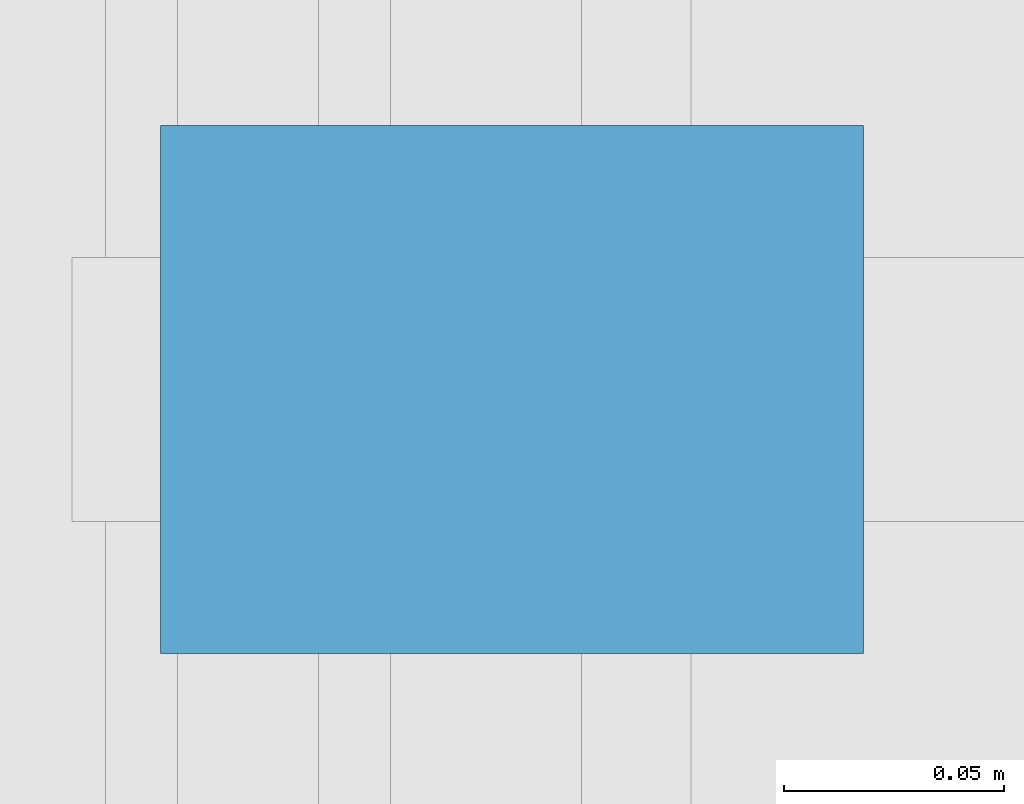
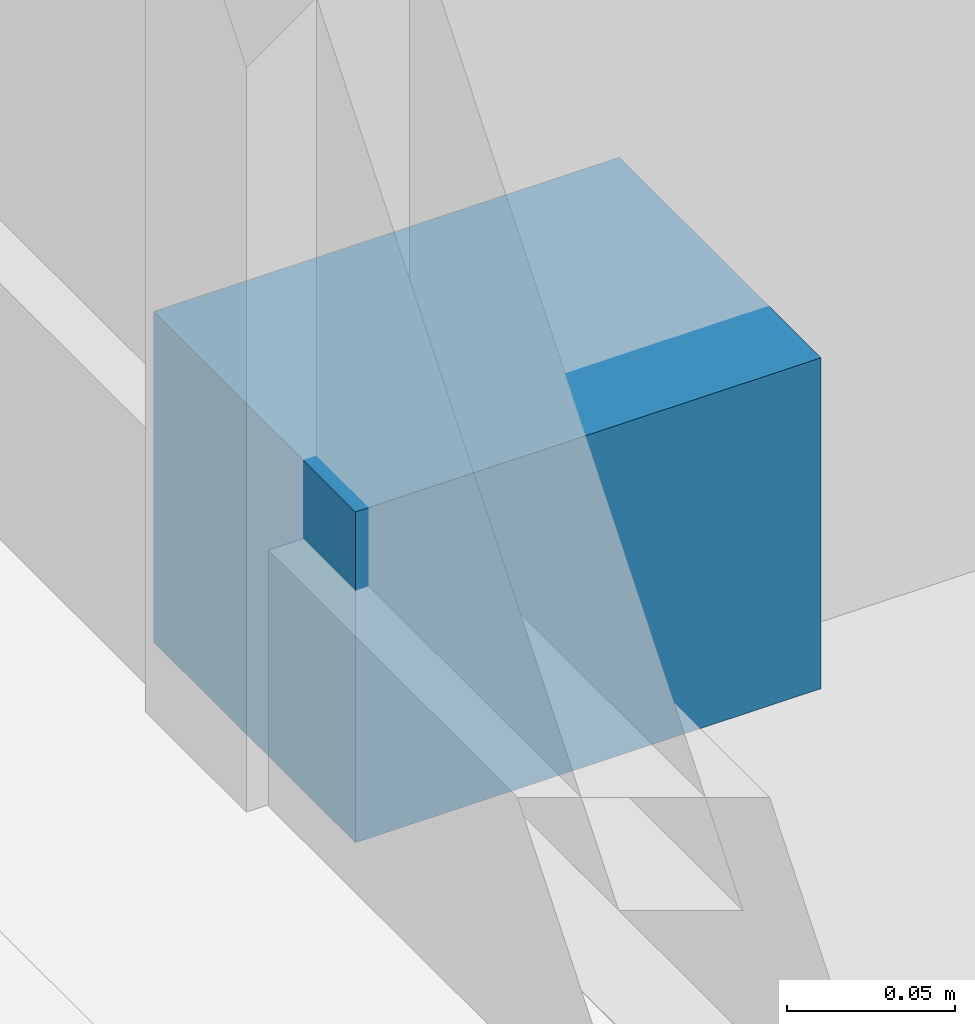
# One storey, part 74 of 103: 1 discrete accessory.
"""IFC4 building model written with IfcOpenShell, lengths in metres."""

from ifc_helpers import new_model, si_unit, direction, frame, origin, origin_2d, place, context, subcontext, project, spatial, rectangle, extrude, material, type_object, element, save


model = new_model("IFC4")

# Units and contexts
model_context = context("Model", 3, precision=1e-05, world=origin(), true_north=direction((0.0, 1.0)))
body_context = subcontext(model_context, "Body", "Model", "MODEL_VIEW")
ifc_project = project(units=[si_unit("LENGTHUNIT", "METRE"), si_unit("AREAUNIT", "SQUARE_METRE"), si_unit("VOLUMEUNIT", "CUBIC_METRE"), si_unit("PLANEANGLEUNIT", "RADIAN"), si_unit("MASSUNIT", "GRAM", prefix="KILO")], contexts=[model_context])

# Site, building, storey
site_placement = place(None, origin())
site = spatial("IfcSite", under=ifc_project, at=site_placement, CompositionType="ELEMENT")
building_placement = place(site_placement, origin())
building = spatial("IfcBuilding", under=site, at=building_placement, Name="Namkhue Oval Health Centre", CompositionType="ELEMENT")
storey_placement = place(building_placement, origin())
storey = spatial("IfcBuildingStorey", under=building, at=storey_placement, Name="L00", CompositionType="ELEMENT", Elevation=0.0)

# Discrete accessory
ifc_material = material(Name="Structural steel S355JR (TCVN CCT38)", Category="steel")
discrete_accessory_type = type_object("IfcDiscreteAccessoryType", Name="FACADE SHADING BRACKET", PredefinedType="BRACKET", material=ifc_material)
discrete_accessory_placement = place(storey_placement, frame((136.860107421875, 93.60009765625, 0.0), z_axis=(0.0, 0.0, 1.0), x_axis=(1.0, 0.0, 0.0)))
element("IfcDiscreteAccessory", 1, at=discrete_accessory_placement, inside=storey, type_object=discrete_accessory_type, Name="Solar Fin Bracket 117", PredefinedType="BRACKET", context=body_context, shape_type="SweptSolid", body=[
    extrude(rectangle(XDim=0.159912109375, YDim=0.1201171875, at=origin_2d()), origin(), (0.0, 0.0, 1.0), 0.1201171875),
])

save(model, "model.ifc")
